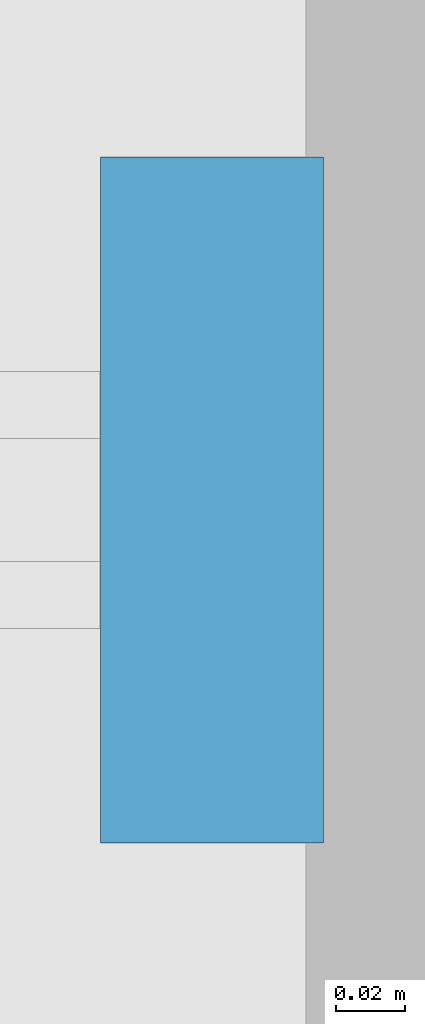
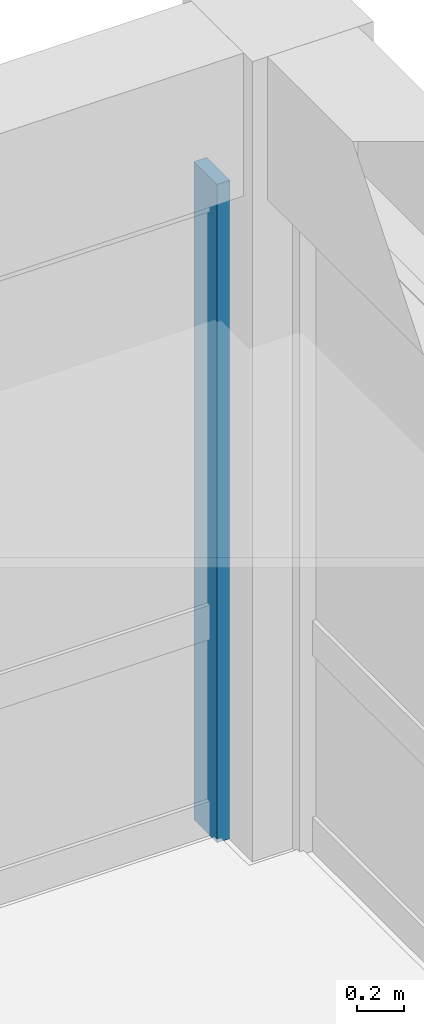
# One storey, part 7 of 14: 1 member, 1 element without a shape of its own.
"""IFC4 building model written with IfcOpenShell, lengths in metres."""

from ifc_helpers import new_model, si_unit, direction, frame, origin, origin_2d, place, context, subcontext, project, spatial, rectangle, extrude, material, material_profile, profile_set, type_object, element, aggregate, save


model = new_model("IFC4")

# Units and contexts
model_context = context("Model", 3, precision=1e-05, world=origin(), true_north=direction((0.0, 1.0)))
body_context = subcontext(model_context, "Body", "Model", "MODEL_VIEW")
ifc_project = project(units=[si_unit("LENGTHUNIT", "METRE"), si_unit("AREAUNIT", "SQUARE_METRE"), si_unit("VOLUMEUNIT", "CUBIC_METRE"), si_unit("PLANEANGLEUNIT", "RADIAN"), si_unit("MASSUNIT", "GRAM", prefix="KILO")], contexts=[model_context])

# Site, building, storey
site_placement = place(None, origin())
site = spatial("IfcSite", under=ifc_project, at=site_placement, CompositionType="ELEMENT")
building_placement = place(site_placement, origin())
building = spatial("IfcBuilding", under=site, at=building_placement, Name="Kemercrest Conservatory and Botanical Centre", CompositionType="ELEMENT")
storey_placement = place(building_placement, frame((0.0, 0.0, 63.800048828125)))
storey = spatial("IfcBuildingStorey", under=building, at=storey_placement, Name="L16", CompositionType="ELEMENT", Elevation=63.800048828125)

# Curtain wall, member
ifc_material_1 = material(Name="Thermally broken aluminium and triple low-e glazing", Category="aluminium")
curtain_wall_type = type_object("IfcCurtainWallType", Name="CW-20", PredefinedType="USERDEFINED", material=ifc_material_1)
curtain_wall_placement = place(storey_placement, origin())
curtain_wall = element("IfcCurtainWall", 1, at=curtain_wall_placement, inside=storey, type_object=curtain_wall_type, Name="Unitised curtain wall CW-20 (CW:L16:V4-169)", ObjectType="UNITISED CURTAIN WALL", PredefinedType="USERDEFINED")
ifc_material_2 = material(Name="Thermally broken anodized aluminium 6063-T6", Category="aluminium")
ifc_material_profile = material_profile(ifc_material_2, rectangle(XDim=0.199951171875, YDim=0.06494140625, at=origin_2d()), Name="AL MULLION 65x200")
ifc_profile_set = profile_set([ifc_material_profile], Name="Thermally broken anodized aluminium 6063-T6")
member_type = type_object("IfcMemberType", Name="CW-M200", PredefinedType="MULLION", material=ifc_profile_set)
member_placement = place(storey_placement, frame((175.672607421875, 122.39990234375, 0.0), z_axis=(0.0, 0.0, 1.0), x_axis=(0.0, -1.0, 0.0)))
member = element("IfcMember", 2, at=member_placement, type_object=member_type, Name="CW-20 mullion 1", PredefinedType="MULLION", context=body_context, shape_type="SweptSolid", body=[
    extrude(rectangle(XDim=0.199951171875, YDim=0.06494140625, at=origin_2d()), origin(), (0.0, 0.0, 1.0), 3.454833984375),
])
aggregate(curtain_wall, [member])

save(model, "model.ifc")
